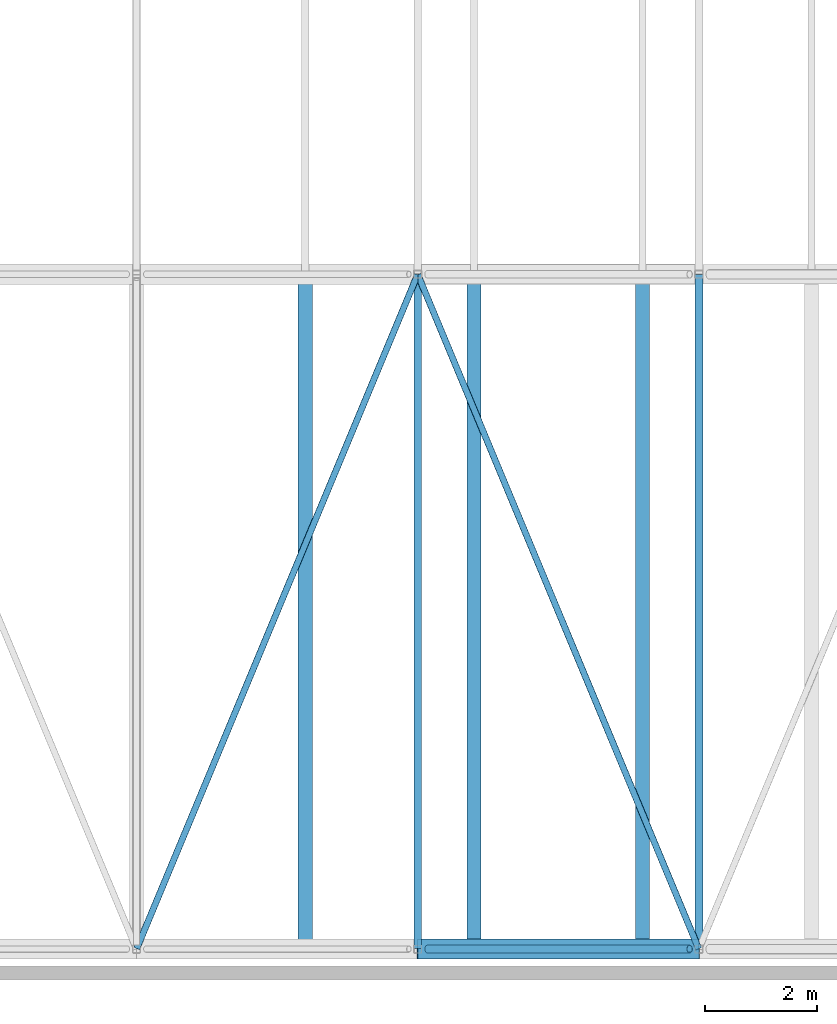
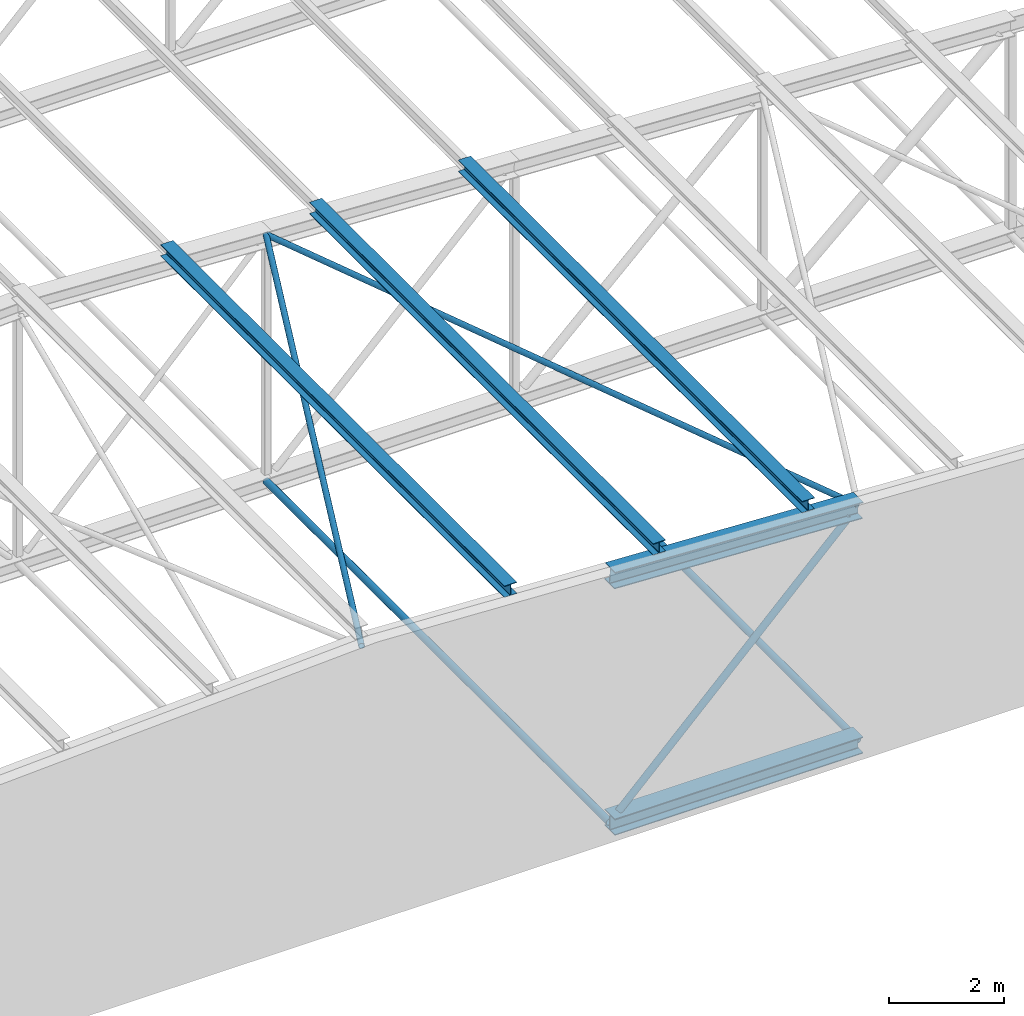
# One storey, part 17 of 156: 10 members.
"""IFC4 building model written with IfcOpenShell, lengths in metres."""

from ifc_helpers import new_model, si_unit, direction, frame, origin, origin_2d, place, context, subcontext, project, spatial, hollow_circle, i_section, extrude, material, material_profile, profile_set, type_object, element, save


model = new_model("IFC4")

# Units and contexts
model_context = context("Model", 3, precision=1e-05, world=origin(), true_north=direction((0.0, 1.0)))
body_context = subcontext(model_context, "Body", "Model", "MODEL_VIEW")
ifc_project = project(units=[si_unit("LENGTHUNIT", "METRE"), si_unit("AREAUNIT", "SQUARE_METRE"), si_unit("VOLUMEUNIT", "CUBIC_METRE"), si_unit("PLANEANGLEUNIT", "RADIAN"), si_unit("MASSUNIT", "GRAM", prefix="KILO")], contexts=[model_context])

# Site, building, storey
site_placement = place(None, origin())
site = spatial("IfcSite", under=ifc_project, at=site_placement, CompositionType="ELEMENT")
building_placement = place(site_placement, origin())
building = spatial("IfcBuilding", under=site, at=building_placement, Name="Lilac Gate Convention Centre", CompositionType="ELEMENT")
storey_placement = place(building_placement, frame((0.0, 0.0, 17.0)))
storey = spatial("IfcBuildingStorey", under=building, at=storey_placement, Name="L03", CompositionType="ELEMENT", Elevation=17.0)

# Members
ifc_material = material(Name="Steel Q355B", Category="steel")
ifc_material_profile_1 = material_profile(ifc_material, hollow_circle(Radius=0.06982421875, WallThickness=0.0048828125, at=origin_2d()), Name="CHS139.7x5")
ifc_profile_set_1 = profile_set([ifc_material_profile_1], Name="Steel Q355B")
member_type_1 = type_object("IfcMemberType", Name="Bottom chord tie CHS139.7x5", PredefinedType="STRUT", material=ifc_profile_set_1)
member_1_placement = place(storey_placement, frame((65.0, 30.009521484375, 0.0), z_axis=(0.0, 1.0, 0.0), x_axis=(-1.0, 0.0, 0.0)))
element("IfcMember", 1, at=member_1_placement, inside=storey, type_object=member_type_1, Name="ST1 tie bay 1 node 8", PredefinedType="STRUT", context=body_context, shape_type="SweptSolid", body=[
    extrude(hollow_circle(Radius=0.06982421875, WallThickness=0.0048828125, at=origin_2d()), origin(), (0.0, 0.0, 1.0), 11.98095703125),
])
member_2_placement = place(storey_placement, frame((70.0, 30.006103515625, 0.0), z_axis=(0.0, 1.0, 0.0), x_axis=(-1.0, 0.0, 0.0)))
element("IfcMember", 2, at=member_2_placement, inside=storey, type_object=member_type_1, Name="ST1 tie bay 1 node 9", PredefinedType="STRUT", context=body_context, shape_type="SweptSolid", body=[
    extrude(hollow_circle(Radius=0.06982421875, WallThickness=0.0048828125, at=origin_2d()), origin(), (0.0, 0.0, 1.0), 11.98779296875),
])
ifc_material_profile_2 = material_profile(ifc_material, hollow_circle(Radius=0.05712890625, WallThickness=0.0048828125, at=origin_2d()), Name="CHS114.3x5")
ifc_profile_set_2 = profile_set([ifc_material_profile_2], Name="Steel Q355B")
member_type_2 = type_object("IfcMemberType", Name="Roof plane bracing CHS114.3x5", PredefinedType="BRACE", material=ifc_profile_set_2)
member_3_placement = place(storey_placement, frame((60.00390625, 30.009521484375, 5.499755859375), z_axis=(0.384552349435, 0.922903071018, -0.01922009493), x_axis=(-0.923073584019, 0.384623398256, 0.0)))
element("IfcMember", 3, at=member_3_placement, inside=storey, type_object=member_type_2, Name="BR1 plan bracing bay 1 panel 7", PredefinedType="BRACE", context=body_context, shape_type="SweptSolid", body=[
    extrude(hollow_circle(Radius=0.05712890625, WallThickness=0.0048828125, at=origin_2d()), origin(), (0.0, 0.0, 1.0), 12.98193359375),
])
member_4_placement = place(storey_placement, frame((65.00244140625, 41.993896484375, 5.25), z_axis=(0.384557486582, -0.922900376645, -0.019246669905), x_axis=(0.923071361129, 0.384628733019, 0.0)))
element("IfcMember", 4, at=member_4_placement, inside=storey, type_object=member_type_2, Name="BR1 plan bracing bay 1 panel 8", PredefinedType="BRACE", context=body_context, shape_type="SweptSolid", body=[
    extrude(hollow_circle(Radius=0.05712890625, WallThickness=0.0048828125, at=origin_2d()), origin(), (0.0, 0.0, 1.0), 12.9892578125),
])
ifc_material_profile_3 = material_profile(ifc_material, i_section(OverallWidth=0.25, OverallDepth=0.25, WebThickness=0.009033203125, FlangeThickness=0.013916015625, FilletRadius=0.012939453125, at=origin_2d()), Name="HW250x250x9x14")
ifc_profile_set_3 = profile_set([ifc_material_profile_3], Name="Steel Q355B")
member_type_3 = type_object("IfcMemberType", Name="Roof purlin HW250x250x9x14", PredefinedType="PURLIN", material=ifc_profile_set_3)
for number, where, z_axis, x_axis, name in (
    (5, (63.0, 30.0, 5.650146484375), (0.0, 1.0, 0.0), (-1.0, 0.0, 0.0), "PU1 purlin bay 1 line 12"),
    (6, (66.0, 30.0, 5.500244140625), (0.0, 1.0, 0.0), (-1.0, 0.0, 0.0), "PU1 purlin bay 1 line 13"),
    (7, (69.0, 30.0, 5.35009765625), (0.0, 1.0, 0.0), (-1.0, 0.0, 0.0), "PU1 purlin bay 1 line 14"),
):
    element("IfcMember", number, at=place(storey_placement, frame(where, z_axis=z_axis, x_axis=x_axis)), inside=storey, type_object=member_type_3, Name=name, PredefinedType="PURLIN", context=body_context, shape_type="SweptSolid", body=[
        extrude(i_section(OverallWidth=0.25, OverallDepth=0.25, WebThickness=0.009033203125, FlangeThickness=0.013916015625, FilletRadius=0.012939453125, at=origin_2d()), origin(), (0.0, 0.0, 1.0), 12.0),
    ])
ifc_material_profile_4 = material_profile(ifc_material, i_section(OverallWidth=0.35693359375, OverallDepth=0.35009765625, WebThickness=0.01904296875, FlangeThickness=0.01904296875, FilletRadius=0.012939453125, at=origin_2d()), Name="HW350x357x19x19")
ifc_profile_set_4 = profile_set([ifc_material_profile_4], Name="Steel Q355B")
member_type_4 = type_object("IfcMemberType", Name="Truss bottom chord HW350x357x19x19", PredefinedType="CHORD", material=ifc_profile_set_4)
member_5_placement = place(storey_placement, frame((65.0, 30.0, 0.0), z_axis=(1.0, 0.0, 0.0), x_axis=(0.0, 1.0, 0.0)))
element("IfcMember", 8, at=member_5_placement, inside=storey, type_object=member_type_4, Name="TB3 truss 1 bottom chord 8", PredefinedType="CHORD", context=body_context, shape_type="SweptSolid", body=[
    extrude(i_section(OverallWidth=0.35693359375, OverallDepth=0.35009765625, WebThickness=0.01904296875, FlangeThickness=0.01904296875, FilletRadius=0.012939453125, at=origin_2d()), origin(), (0.0, 0.0, 1.0), 5.0),
])
ifc_material_profile_5 = material_profile(ifc_material, hollow_circle(Radius=0.06982421875, WallThickness=0.006103515625, at=origin_2d()), Name="CHS139.7x6")
ifc_profile_set_5 = profile_set([ifc_material_profile_5], Name="Steel Q355B")
member_type_5 = type_object("IfcMemberType", Name="Truss diagonal CHS139.7x6", PredefinedType="BRACE", material=ifc_profile_set_5)
member_6_placement = place(storey_placement, frame((69.835693359375, 30.0, 4.835693359375), z_axis=(-0.707106781187, 0.0, -0.707106781187), x_axis=(0.0, -1.0, 0.0)))
element("IfcMember", 9, at=member_6_placement, inside=storey, type_object=member_type_5, Name="TW5 truss 1 diagonal 8", PredefinedType="BRACE", context=body_context, shape_type="SweptSolid", body=[
    extrude(hollow_circle(Radius=0.06982421875, WallThickness=0.006103515625, at=origin_2d()), origin(), (0.0, 0.0, 1.0), 6.591064453125),
])
ifc_material_profile_6 = material_profile(ifc_material, i_section(OverallWidth=0.35009765625, OverallDepth=0.35009765625, WebThickness=0.011962890625, FlangeThickness=0.01904296875, FilletRadius=0.012939453125, at=origin_2d()), Name="HW350x350x12x19")
ifc_profile_set_6 = profile_set([ifc_material_profile_6], Name="Steel Q355B")
member_type_6 = type_object("IfcMemberType", Name="Truss top chord HW350x350x12x19", PredefinedType="CHORD", material=ifc_profile_set_6)
member_7_placement = place(storey_placement, frame((65.0, 30.0, 5.25), z_axis=(0.998752338878, 0.0, -0.049937616944), x_axis=(0.0, 1.0, 0.0)))
element("IfcMember", 10, at=member_7_placement, inside=storey, type_object=member_type_6, Name="TT2 truss 1 top chord 8", PredefinedType="CHORD", context=body_context, shape_type="SweptSolid", body=[
    extrude(i_section(OverallWidth=0.35009765625, OverallDepth=0.35009765625, WebThickness=0.011962890625, FlangeThickness=0.01904296875, FilletRadius=0.012939453125, at=origin_2d()), origin(), (0.0, 0.0, 1.0), 5.00634765625),
])

save(model, "model.ifc")
